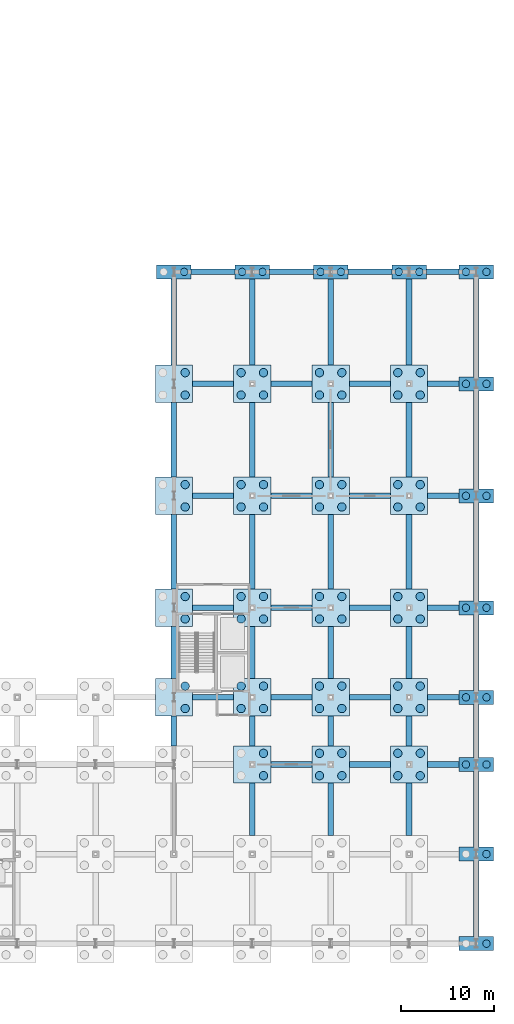
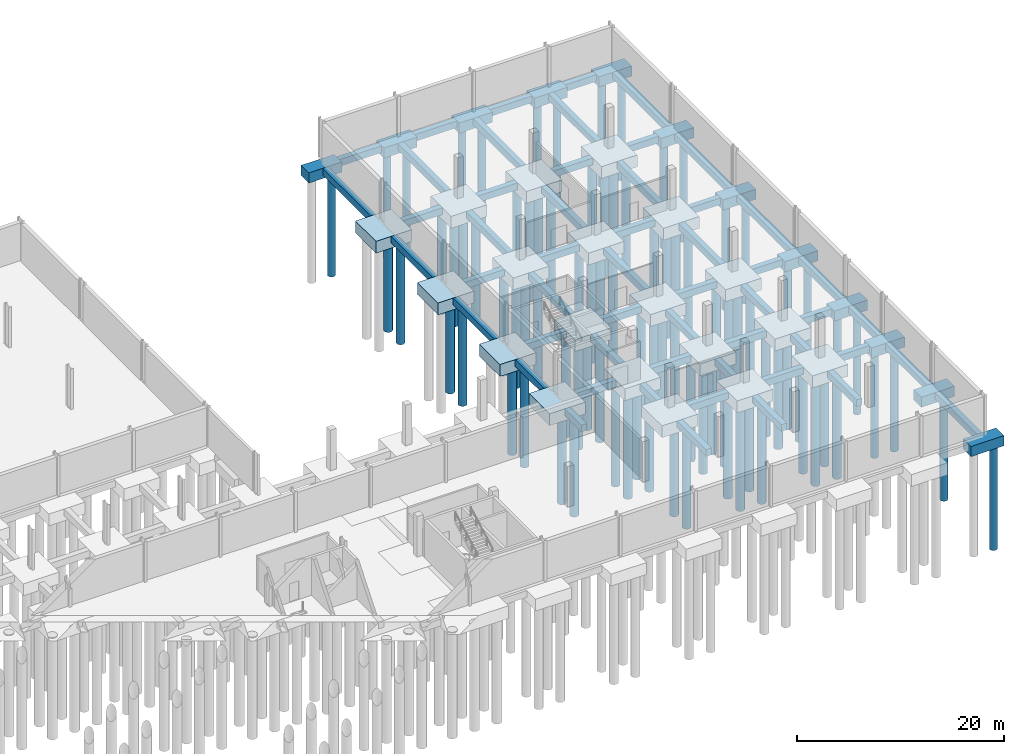
# One storey, part 6 of 29: 87 piles, 84 footings.
"""IFC4 building model written with IfcOpenShell, lengths in metres."""

from ifc_helpers import new_model, si_unit, direction, frame, origin, origin_2d, place, context, subcontext, project, spatial, rectangle, circle, extrude, material, material_profile, profile_set, type_object, element, save


model = new_model("IFC4")

# Units and contexts
model_context = context("Model", 3, precision=1e-05, world=origin(), true_north=direction((0.0, 1.0)))
body_context = subcontext(model_context, "Body", "Model", "MODEL_VIEW")
ifc_project = project(units=[si_unit("LENGTHUNIT", "METRE"), si_unit("AREAUNIT", "SQUARE_METRE"), si_unit("VOLUMEUNIT", "CUBIC_METRE"), si_unit("PLANEANGLEUNIT", "RADIAN"), si_unit("MASSUNIT", "GRAM", prefix="KILO")], contexts=[model_context])

# Site, building, storey
site_placement = place(None, origin())
site = spatial("IfcSite", under=ifc_project, at=site_placement, CompositionType="ELEMENT")
building_placement = place(site_placement, origin())
building = spatial("IfcBuilding", under=site, at=building_placement, Name="Veltarok Museum of Natural Sciences", CompositionType="ELEMENT")
storey_placement = place(building_placement, frame((0.0, 0.0, -4.800048828125)))
storey = spatial("IfcBuildingStorey", under=building, at=storey_placement, Name="B1", CompositionType="ELEMENT", Elevation=-4.800048828125)

# Piles
ifc_material = material(Name="Concrete C35/45", Category="concrete")
ifc_material_profile_1 = material_profile(ifc_material, circle(Radius=0.39990234375, at=origin_2d()), Name="BP D800")
ifc_profile_set_1 = profile_set([ifc_material_profile_1], Name="Concrete C35/45")
pile_type_1 = type_object("IfcPileType", Name="Bored Bedrock Pile D800", PredefinedType="BORED", material=ifc_profile_set_1)
for number, where, z_axis, x_axis, name in (
    (1, (133.5, 72.0, -1.599853515625), (0.0, 0.0, -1.0), (1.0, 0.0, 0.0), "Bored Pile BP-800 530"),
    (2, (139.699951171875, 72.0, -1.599853515625), (0.0, 0.0, -1.0), (1.0, 0.0, 0.0), "Bored Pile BP-800 559"),
    (3, (141.89990234375, 72.0, -1.599853515625), (0.0, 0.0, -1.0), (1.0, 0.0, 0.0), "Bored Pile BP-800 560"),
    (4, (148.10009765625, 72.0, -1.599853515625), (0.0, 0.0, -1.0), (1.0, 0.0, 0.0), "Bored Pile BP-800 589"),
    (5, (150.300048828125, 72.0, -1.599853515625), (0.0, 0.0, -1.0), (1.0, 0.0, 0.0), "Bored Pile BP-800 590"),
    (6, (156.5, 72.0, -1.599853515625), (0.0, 0.0, -1.0), (1.0, 0.0, 0.0), "Bored Pile BP-800 619"),
    (7, (158.699951171875, 72.0, -1.599853515625), (0.0, 0.0, -1.0), (1.0, 0.0, 0.0), "Bored Pile BP-800 620"),
    (8, (165.89990234375, 0.0, -1.599853515625), (0.0, 0.0, -1.0), (1.0, 0.0, 0.0), "Bored Pile BP-800 622"),
    (9, (165.89990234375, 9.60009765625, -1.599853515625), (0.0, 0.0, -1.0), (1.0, 0.0, 0.0), "Bored Pile BP-800 624"),
    (10, (163.699951171875, 19.199951171875, -1.599853515625), (0.0, 0.0, -1.0), (1.0, 0.0, 0.0), "Bored Pile BP-800 625"),
    (11, (165.89990234375, 19.199951171875, -1.599853515625), (0.0, 0.0, -1.0), (1.0, 0.0, 0.0), "Bored Pile BP-800 626"),
    (12, (163.699951171875, 26.39990234375, -1.599853515625), (0.0, 0.0, -1.0), (1.0, 0.0, 0.0), "Bored Pile BP-800 627"),
    (13, (165.89990234375, 26.39990234375, -1.599853515625), (0.0, 0.0, -1.0), (1.0, 0.0, 0.0), "Bored Pile BP-800 628"),
    (14, (163.699951171875, 36.0, -1.599853515625), (0.0, 0.0, -1.0), (1.0, 0.0, 0.0), "Bored Pile BP-800 629"),
    (15, (165.89990234375, 36.0, -1.599853515625), (0.0, 0.0, -1.0), (1.0, 0.0, 0.0), "Bored Pile BP-800 630"),
    (16, (163.699951171875, 48.0, -1.599853515625), (0.0, 0.0, -1.0), (1.0, 0.0, 0.0), "Bored Pile BP-800 631"),
    (17, (165.89990234375, 48.0, -1.599853515625), (0.0, 0.0, -1.0), (1.0, 0.0, 0.0), "Bored Pile BP-800 632"),
    (18, (163.699951171875, 60.0, -1.599853515625), (0.0, 0.0, -1.0), (1.0, 0.0, 0.0), "Bored Pile BP-800 633"),
    (19, (165.89990234375, 60.0, -1.599853515625), (0.0, 0.0, -1.0), (1.0, 0.0, 0.0), "Bored Pile BP-800 634"),
    (20, (163.699951171875, 72.0, -1.599853515625), (0.0, 0.0, -1.0), (1.0, 0.0, 0.0), "Bored Pile BP-800 635"),
    (21, (165.89990234375, 72.0, -1.599853515625), (0.0, 0.0, -1.0), (1.0, 0.0, 0.0), "Bored Pile BP-800 636"),
):
    element("IfcPile", number, at=place(storey_placement, frame(where, z_axis=z_axis, x_axis=x_axis)), inside=storey, type_object=pile_type_1, Name=name, PredefinedType="BORED", context=body_context, shape_type="SweptSolid", body=[
        extrude(circle(Radius=0.39990234375, at=origin_2d()), origin(), (0.0, 0.0, 1.0), 12.39990234375),
    ])
ifc_material_profile_2 = material_profile(ifc_material, circle(Radius=0.449951171875, at=origin_2d()), Name="BP D900")
ifc_profile_set_2 = profile_set([ifc_material_profile_2], Name="Concrete C35/45")
pile_type_2 = type_object("IfcPileType", Name="Bored Bedrock Pile D900", PredefinedType="BORED", material=ifc_profile_set_2)
for number, where, z_axis, x_axis, name in (
    (22, (133.60009765625, 25.199951171875, -1.800048828125), (0.0, 0.0, -1.0), (1.0, 0.0, 0.0), "Bored Pile BP-900 514"),
    (23, (133.60009765625, 27.60009765625, -1.800048828125), (0.0, 0.0, -1.0), (1.0, 0.0, 0.0), "Bored Pile BP-900 516"),
    (24, (133.60009765625, 34.800048828125, -1.800048828125), (0.0, 0.0, -1.0), (1.0, 0.0, 0.0), "Bored Pile BP-900 518"),
    (25, (133.60009765625, 37.199951171875, -1.800048828125), (0.0, 0.0, -1.0), (1.0, 0.0, 0.0), "Bored Pile BP-900 520"),
    (26, (133.60009765625, 46.800048828125, -1.800048828125), (0.0, 0.0, -1.0), (1.0, 0.0, 0.0), "Bored Pile BP-900 522"),
    (27, (133.60009765625, 49.199951171875, -1.800048828125), (0.0, 0.0, -1.0), (1.0, 0.0, 0.0), "Bored Pile BP-900 524"),
    (28, (133.60009765625, 58.800048828125, -1.800048828125), (0.0, 0.0, -1.0), (1.0, 0.0, 0.0), "Bored Pile BP-900 526"),
    (29, (133.60009765625, 61.199951171875, -1.800048828125), (0.0, 0.0, -1.0), (1.0, 0.0, 0.0), "Bored Pile BP-900 528"),
    (30, (142.0, 18.0, -1.800048828125), (0.0, 0.0, -1.0), (1.0, 0.0, 0.0), "Bored Pile BP-900 540"),
    (31, (142.0, 20.39990234375, -1.800048828125), (0.0, 0.0, -1.0), (1.0, 0.0, 0.0), "Bored Pile BP-900 542"),
    (32, (139.60009765625, 25.199951171875, -1.800048828125), (0.0, 0.0, -1.0), (1.0, 0.0, 0.0), "Bored Pile BP-900 543"),
    (33, (142.0, 25.199951171875, -1.800048828125), (0.0, 0.0, -1.0), (1.0, 0.0, 0.0), "Bored Pile BP-900 544"),
    (34, (139.60009765625, 27.60009765625, -1.800048828125), (0.0, 0.0, -1.0), (1.0, 0.0, 0.0), "Bored Pile BP-900 545"),
    (35, (142.0, 27.60009765625, -1.800048828125), (0.0, 0.0, -1.0), (1.0, 0.0, 0.0), "Bored Pile BP-900 546"),
    (36, (139.60009765625, 34.800048828125, -1.800048828125), (0.0, 0.0, -1.0), (1.0, 0.0, 0.0), "Bored Pile BP-900 547"),
    (37, (142.0, 34.800048828125, -1.800048828125), (0.0, 0.0, -1.0), (1.0, 0.0, 0.0), "Bored Pile BP-900 548"),
    (38, (139.60009765625, 37.199951171875, -1.800048828125), (0.0, 0.0, -1.0), (1.0, 0.0, 0.0), "Bored Pile BP-900 549"),
    (39, (142.0, 37.199951171875, -1.800048828125), (0.0, 0.0, -1.0), (1.0, 0.0, 0.0), "Bored Pile BP-900 550"),
    (40, (139.60009765625, 46.800048828125, -1.800048828125), (0.0, 0.0, -1.0), (1.0, 0.0, 0.0), "Bored Pile BP-900 551"),
    (41, (142.0, 46.800048828125, -1.800048828125), (0.0, 0.0, -1.0), (1.0, 0.0, 0.0), "Bored Pile BP-900 552"),
    (42, (139.60009765625, 49.199951171875, -1.800048828125), (0.0, 0.0, -1.0), (1.0, 0.0, 0.0), "Bored Pile BP-900 553"),
    (43, (142.0, 49.199951171875, -1.800048828125), (0.0, 0.0, -1.0), (1.0, 0.0, 0.0), "Bored Pile BP-900 554"),
    (44, (139.60009765625, 58.800048828125, -1.800048828125), (0.0, 0.0, -1.0), (1.0, 0.0, 0.0), "Bored Pile BP-900 555"),
    (45, (142.0, 58.800048828125, -1.800048828125), (0.0, 0.0, -1.0), (1.0, 0.0, 0.0), "Bored Pile BP-900 556"),
    (46, (139.60009765625, 61.199951171875, -1.800048828125), (0.0, 0.0, -1.0), (1.0, 0.0, 0.0), "Bored Pile BP-900 557"),
    (47, (142.0, 61.199951171875, -1.800048828125), (0.0, 0.0, -1.0), (1.0, 0.0, 0.0), "Bored Pile BP-900 558"),
    (48, (148.0, 18.0, -1.800048828125), (0.0, 0.0, -1.0), (1.0, 0.0, 0.0), "Bored Pile BP-900 569"),
    (49, (150.39990234375, 18.0, -1.800048828125), (0.0, 0.0, -1.0), (1.0, 0.0, 0.0), "Bored Pile BP-900 570"),
    (50, (148.0, 20.39990234375, -1.800048828125), (0.0, 0.0, -1.0), (1.0, 0.0, 0.0), "Bored Pile BP-900 571"),
    (51, (150.39990234375, 20.39990234375, -1.800048828125), (0.0, 0.0, -1.0), (1.0, 0.0, 0.0), "Bored Pile BP-900 572"),
    (52, (148.0, 25.199951171875, -1.800048828125), (0.0, 0.0, -1.0), (1.0, 0.0, 0.0), "Bored Pile BP-900 573"),
    (53, (150.39990234375, 25.199951171875, -1.800048828125), (0.0, 0.0, -1.0), (1.0, 0.0, 0.0), "Bored Pile BP-900 574"),
    (54, (148.0, 27.60009765625, -1.800048828125), (0.0, 0.0, -1.0), (1.0, 0.0, 0.0), "Bored Pile BP-900 575"),
    (55, (150.39990234375, 27.60009765625, -1.800048828125), (0.0, 0.0, -1.0), (1.0, 0.0, 0.0), "Bored Pile BP-900 576"),
    (56, (148.0, 34.800048828125, -1.800048828125), (0.0, 0.0, -1.0), (1.0, 0.0, 0.0), "Bored Pile BP-900 577"),
    (57, (150.39990234375, 34.800048828125, -1.800048828125), (0.0, 0.0, -1.0), (1.0, 0.0, 0.0), "Bored Pile BP-900 578"),
    (58, (148.0, 37.199951171875, -1.800048828125), (0.0, 0.0, -1.0), (1.0, 0.0, 0.0), "Bored Pile BP-900 579"),
    (59, (150.39990234375, 37.199951171875, -1.800048828125), (0.0, 0.0, -1.0), (1.0, 0.0, 0.0), "Bored Pile BP-900 580"),
    (60, (148.0, 46.800048828125, -1.800048828125), (0.0, 0.0, -1.0), (1.0, 0.0, 0.0), "Bored Pile BP-900 581"),
    (61, (150.39990234375, 46.800048828125, -1.800048828125), (0.0, 0.0, -1.0), (1.0, 0.0, 0.0), "Bored Pile BP-900 582"),
    (62, (148.0, 49.199951171875, -1.800048828125), (0.0, 0.0, -1.0), (1.0, 0.0, 0.0), "Bored Pile BP-900 583"),
    (63, (150.39990234375, 49.199951171875, -1.800048828125), (0.0, 0.0, -1.0), (1.0, 0.0, 0.0), "Bored Pile BP-900 584"),
    (64, (148.0, 58.800048828125, -1.800048828125), (0.0, 0.0, -1.0), (1.0, 0.0, 0.0), "Bored Pile BP-900 585"),
    (65, (150.39990234375, 58.800048828125, -1.800048828125), (0.0, 0.0, -1.0), (1.0, 0.0, 0.0), "Bored Pile BP-900 586"),
    (66, (148.0, 61.199951171875, -1.800048828125), (0.0, 0.0, -1.0), (1.0, 0.0, 0.0), "Bored Pile BP-900 587"),
    (67, (150.39990234375, 61.199951171875, -1.800048828125), (0.0, 0.0, -1.0), (1.0, 0.0, 0.0), "Bored Pile BP-900 588"),
    (68, (156.39990234375, 18.0, -1.800048828125), (0.0, 0.0, -1.0), (1.0, 0.0, 0.0), "Bored Pile BP-900 599"),
    (69, (158.800048828125, 18.0, -1.800048828125), (0.0, 0.0, -1.0), (1.0, 0.0, 0.0), "Bored Pile BP-900 600"),
    (70, (156.39990234375, 20.39990234375, -1.800048828125), (0.0, 0.0, -1.0), (1.0, 0.0, 0.0), "Bored Pile BP-900 601"),
    (71, (158.800048828125, 20.39990234375, -1.800048828125), (0.0, 0.0, -1.0), (1.0, 0.0, 0.0), "Bored Pile BP-900 602"),
    (72, (156.39990234375, 25.199951171875, -1.800048828125), (0.0, 0.0, -1.0), (1.0, 0.0, 0.0), "Bored Pile BP-900 603"),
    (73, (158.800048828125, 25.199951171875, -1.800048828125), (0.0, 0.0, -1.0), (1.0, 0.0, 0.0), "Bored Pile BP-900 604"),
    (74, (156.39990234375, 27.60009765625, -1.800048828125), (0.0, 0.0, -1.0), (1.0, 0.0, 0.0), "Bored Pile BP-900 605"),
    (75, (158.800048828125, 27.60009765625, -1.800048828125), (0.0, 0.0, -1.0), (1.0, 0.0, 0.0), "Bored Pile BP-900 606"),
    (76, (156.39990234375, 34.800048828125, -1.800048828125), (0.0, 0.0, -1.0), (1.0, 0.0, 0.0), "Bored Pile BP-900 607"),
    (77, (158.800048828125, 34.800048828125, -1.800048828125), (0.0, 0.0, -1.0), (1.0, 0.0, 0.0), "Bored Pile BP-900 608"),
    (78, (156.39990234375, 37.199951171875, -1.800048828125), (0.0, 0.0, -1.0), (1.0, 0.0, 0.0), "Bored Pile BP-900 609"),
    (79, (158.800048828125, 37.199951171875, -1.800048828125), (0.0, 0.0, -1.0), (1.0, 0.0, 0.0), "Bored Pile BP-900 610"),
    (80, (156.39990234375, 46.800048828125, -1.800048828125), (0.0, 0.0, -1.0), (1.0, 0.0, 0.0), "Bored Pile BP-900 611"),
    (81, (158.800048828125, 46.800048828125, -1.800048828125), (0.0, 0.0, -1.0), (1.0, 0.0, 0.0), "Bored Pile BP-900 612"),
    (82, (156.39990234375, 49.199951171875, -1.800048828125), (0.0, 0.0, -1.0), (1.0, 0.0, 0.0), "Bored Pile BP-900 613"),
    (83, (158.800048828125, 49.199951171875, -1.800048828125), (0.0, 0.0, -1.0), (1.0, 0.0, 0.0), "Bored Pile BP-900 614"),
    (84, (156.39990234375, 58.800048828125, -1.800048828125), (0.0, 0.0, -1.0), (1.0, 0.0, 0.0), "Bored Pile BP-900 615"),
    (85, (158.800048828125, 58.800048828125, -1.800048828125), (0.0, 0.0, -1.0), (1.0, 0.0, 0.0), "Bored Pile BP-900 616"),
    (86, (156.39990234375, 61.199951171875, -1.800048828125), (0.0, 0.0, -1.0), (1.0, 0.0, 0.0), "Bored Pile BP-900 617"),
    (87, (158.800048828125, 61.199951171875, -1.800048828125), (0.0, 0.0, -1.0), (1.0, 0.0, 0.0), "Bored Pile BP-900 618"),
):
    element("IfcPile", number, at=place(storey_placement, frame(where, z_axis=z_axis, x_axis=x_axis)), inside=storey, type_object=pile_type_2, Name=name, PredefinedType="BORED", context=body_context, shape_type="SweptSolid", body=[
        extrude(circle(Radius=0.449951171875, at=origin_2d()), origin(), (0.0, 0.0, 1.0), 12.199951171875),
    ])

# Footings
footing_type_1 = type_object("IfcFootingType", Name="Four-Pile Cap 4000x4000x1400", PredefinedType="PILE_CAP", material=ifc_material)
for number, where, z_axis, x_axis, name in (
    (88, (132.39990234375, 26.39990234375, -1.89990234375), (0.0, 0.0, 1.0), (1.0, 0.0, 0.0), "Pile Cap PC-4P 16/D"),
    (89, (132.39990234375, 36.0, -1.89990234375), (0.0, 0.0, 1.0), (1.0, 0.0, 0.0), "Pile Cap PC-4P 16/E"),
    (90, (132.39990234375, 48.0, -1.89990234375), (0.0, 0.0, 1.0), (1.0, 0.0, 0.0), "Pile Cap PC-4P 16/F"),
    (91, (132.39990234375, 60.0, -1.89990234375), (0.0, 0.0, 1.0), (1.0, 0.0, 0.0), "Pile Cap PC-4P 16/G"),
    (92, (140.800048828125, 19.199951171875, -1.89990234375), (0.0, 0.0, 1.0), (1.0, 0.0, 0.0), "Pile Cap PC-4P 17/C"),
    (93, (140.800048828125, 26.39990234375, -1.89990234375), (0.0, 0.0, 1.0), (1.0, 0.0, 0.0), "Pile Cap PC-4P 17/D"),
    (94, (140.800048828125, 36.0, -1.89990234375), (0.0, 0.0, 1.0), (1.0, 0.0, 0.0), "Pile Cap PC-4P 17/E"),
    (95, (140.800048828125, 48.0, -1.89990234375), (0.0, 0.0, 1.0), (1.0, 0.0, 0.0), "Pile Cap PC-4P 17/F"),
    (96, (140.800048828125, 60.0, -1.89990234375), (0.0, 0.0, 1.0), (1.0, 0.0, 0.0), "Pile Cap PC-4P 17/G"),
    (97, (149.199951171875, 19.199951171875, -1.89990234375), (0.0, 0.0, 1.0), (1.0, 0.0, 0.0), "Pile Cap PC-4P 18/C"),
    (98, (149.199951171875, 26.39990234375, -1.89990234375), (0.0, 0.0, 1.0), (1.0, 0.0, 0.0), "Pile Cap PC-4P 18/D"),
    (99, (149.199951171875, 36.0, -1.89990234375), (0.0, 0.0, 1.0), (1.0, 0.0, 0.0), "Pile Cap PC-4P 18/E"),
    (100, (149.199951171875, 48.0, -1.89990234375), (0.0, 0.0, 1.0), (1.0, 0.0, 0.0), "Pile Cap PC-4P 18/F"),
    (101, (149.199951171875, 60.0, -1.89990234375), (0.0, 0.0, 1.0), (1.0, 0.0, 0.0), "Pile Cap PC-4P 18/G"),
    (102, (157.60009765625, 19.199951171875, -1.89990234375), (0.0, 0.0, 1.0), (1.0, 0.0, 0.0), "Pile Cap PC-4P 19/C"),
    (103, (157.60009765625, 26.39990234375, -1.89990234375), (0.0, 0.0, 1.0), (1.0, 0.0, 0.0), "Pile Cap PC-4P 19/D"),
    (104, (157.60009765625, 36.0, -1.89990234375), (0.0, 0.0, 1.0), (1.0, 0.0, 0.0), "Pile Cap PC-4P 19/E"),
    (105, (157.60009765625, 48.0, -1.89990234375), (0.0, 0.0, 1.0), (1.0, 0.0, 0.0), "Pile Cap PC-4P 19/F"),
    (106, (157.60009765625, 60.0, -1.89990234375), (0.0, 0.0, 1.0), (1.0, 0.0, 0.0), "Pile Cap PC-4P 19/G"),
):
    element("IfcFooting", number, at=place(storey_placement, frame(where, z_axis=z_axis, x_axis=x_axis)), inside=storey, type_object=footing_type_1, Name=name, PredefinedType="PILE_CAP", context=body_context, shape_type="SweptSolid", body=[
        extrude(rectangle(XDim=4.0, YDim=4.0, at=origin_2d()), origin(), (0.0, 0.0, 1.0), 1.39990234375),
    ])
footing_type_2 = type_object("IfcFootingType", Name="Ground Tie Beam 600x800 L10500", PredefinedType="FOOTING_BEAM", material=ifc_material)
for number, where, z_axis, x_axis, name in (
    (107, (164.800048828125, 42.0, -1.2998046875), (0.0, 0.0, 1.0), (0.0, 1.0, 0.0), "Ground Tie Beam GB-10500 20/E-F"),
    (108, (164.800048828125, 54.0, -1.2998046875), (0.0, 0.0, 1.0), (0.0, 1.0, 0.0), "Ground Tie Beam GB-10500 20/F-G"),
    (109, (164.800048828125, 66.0, -1.2998046875), (0.0, 0.0, 1.0), (0.0, 1.0, 0.0), "Ground Tie Beam GB-10500 20/G-H"),
):
    element("IfcFooting", number, at=place(storey_placement, frame(where, z_axis=z_axis, x_axis=x_axis)), inside=storey, type_object=footing_type_2, Name=name, PredefinedType="FOOTING_BEAM", context=body_context, shape_type="SweptSolid", body=[
        extrude(rectangle(XDim=10.5, YDim=0.60009765625, at=origin_2d()), origin(), (0.0, 0.0, 1.0), 0.800048828125),
    ])
footing_type_3 = type_object("IfcFootingType", Name="Ground Tie Beam 600x800 L3200", PredefinedType="FOOTING_BEAM", material=ifc_material)
for number, where, z_axis, x_axis, name in (
    (110, (132.39990234375, 22.800048828125, -1.2998046875), (0.0, 0.0, 1.0), (0.0, 1.0, 0.0), "Ground Tie Beam GB-3200 16/C-D"),
    (111, (140.800048828125, 22.800048828125, -1.2998046875), (0.0, 0.0, 1.0), (0.0, 1.0, 0.0), "Ground Tie Beam GB-3200 17/C-D"),
    (112, (149.199951171875, 22.800048828125, -1.2998046875), (0.0, 0.0, 1.0), (0.0, 1.0, 0.0), "Ground Tie Beam GB-3200 18/C-D"),
    (113, (157.60009765625, 22.800048828125, -1.2998046875), (0.0, 0.0, 1.0), (0.0, 1.0, 0.0), "Ground Tie Beam GB-3200 19/C-D"),
):
    element("IfcFooting", number, at=place(storey_placement, frame(where, z_axis=z_axis, x_axis=x_axis)), inside=storey, type_object=footing_type_3, Name=name, PredefinedType="FOOTING_BEAM", context=body_context, shape_type="SweptSolid", body=[
        extrude(rectangle(XDim=3.199951171875, YDim=0.60009765625, at=origin_2d()), origin(), (0.0, 0.0, 1.0), 0.800048828125),
    ])
footing_type_4 = type_object("IfcFootingType", Name="Ground Tie Beam 600x800 L3350", PredefinedType="FOOTING_BEAM", material=ifc_material)
for number, where, z_axis, x_axis, name in (
    (114, (161.27490234375, 19.199951171875, -1.2998046875), (0.0, 0.0, 1.0), (1.0, 0.0, 0.0), "Ground Tie Beam GB-3350 19-20/C"),
    (115, (161.27490234375, 26.39990234375, -1.2998046875), (0.0, 0.0, 1.0), (1.0, 0.0, 0.0), "Ground Tie Beam GB-3350 19-20/D"),
    (116, (161.27490234375, 36.0, -1.2998046875), (0.0, 0.0, 1.0), (1.0, 0.0, 0.0), "Ground Tie Beam GB-3350 19-20/E"),
    (117, (161.27490234375, 48.0, -1.2998046875), (0.0, 0.0, 1.0), (1.0, 0.0, 0.0), "Ground Tie Beam GB-3350 19-20/F"),
    (118, (161.27490234375, 60.0, -1.2998046875), (0.0, 0.0, 1.0), (1.0, 0.0, 0.0), "Ground Tie Beam GB-3350 19-20/G"),
):
    element("IfcFooting", number, at=place(storey_placement, frame(where, z_axis=z_axis, x_axis=x_axis)), inside=storey, type_object=footing_type_4, Name=name, PredefinedType="FOOTING_BEAM", context=body_context, shape_type="SweptSolid", body=[
        extrude(rectangle(XDim=3.35009765625, YDim=0.60009765625, at=origin_2d()), origin(), (0.0, 0.0, 1.0), 0.800048828125),
    ])
footing_type_5 = type_object("IfcFootingType", Name="Ground Tie Beam 600x800 L3500", PredefinedType="FOOTING_BEAM", material=ifc_material)
footing_1_placement = place(storey_placement, frame((161.199951171875, 72.0, -1.2998046875), z_axis=(0.0, 0.0, 1.0), x_axis=(1.0, 0.0, 0.0)))
element("IfcFooting", 119, at=footing_1_placement, inside=storey, type_object=footing_type_5, Name="Ground Tie Beam GB-3500 19-20/H", PredefinedType="FOOTING_BEAM", context=body_context, shape_type="SweptSolid", body=[
    extrude(rectangle(XDim=3.5, YDim=0.60009765625, at=origin_2d()), origin(), (0.0, 0.0, 1.0), 0.800048828125),
])
footing_type_6 = type_object("IfcFootingType", Name="Ground Tie Beam 600x800 L4400", PredefinedType="FOOTING_BEAM", material=ifc_material)
for number, where, z_axis, x_axis, name in (
    (120, (145.0, 19.199951171875, -1.2998046875), (0.0, 0.0, 1.0), (1.0, 0.0, 0.0), "Ground Tie Beam GB-4400 17-18/C"),
    (121, (153.39990234375, 19.199951171875, -1.2998046875), (0.0, 0.0, 1.0), (1.0, 0.0, 0.0), "Ground Tie Beam GB-4400 18-19/C"),
    (122, (136.60009765625, 26.39990234375, -1.2998046875), (0.0, 0.0, 1.0), (1.0, 0.0, 0.0), "Ground Tie Beam GB-4400 16-17/D"),
    (123, (145.0, 26.39990234375, -1.2998046875), (0.0, 0.0, 1.0), (1.0, 0.0, 0.0), "Ground Tie Beam GB-4400 17-18/D"),
    (124, (153.39990234375, 26.39990234375, -1.2998046875), (0.0, 0.0, 1.0), (1.0, 0.0, 0.0), "Ground Tie Beam GB-4400 18-19/D"),
    (125, (136.60009765625, 36.0, -1.2998046875), (0.0, 0.0, 1.0), (1.0, 0.0, 0.0), "Ground Tie Beam GB-4400 16-17/E"),
    (126, (145.0, 36.0, -1.2998046875), (0.0, 0.0, 1.0), (1.0, 0.0, 0.0), "Ground Tie Beam GB-4400 17-18/E"),
    (127, (153.39990234375, 36.0, -1.2998046875), (0.0, 0.0, 1.0), (1.0, 0.0, 0.0), "Ground Tie Beam GB-4400 18-19/E"),
    (128, (136.60009765625, 48.0, -1.2998046875), (0.0, 0.0, 1.0), (1.0, 0.0, 0.0), "Ground Tie Beam GB-4400 16-17/F"),
    (129, (145.0, 48.0, -1.2998046875), (0.0, 0.0, 1.0), (1.0, 0.0, 0.0), "Ground Tie Beam GB-4400 17-18/F"),
    (130, (153.39990234375, 48.0, -1.2998046875), (0.0, 0.0, 1.0), (1.0, 0.0, 0.0), "Ground Tie Beam GB-4400 18-19/F"),
    (131, (136.60009765625, 60.0, -1.2998046875), (0.0, 0.0, 1.0), (1.0, 0.0, 0.0), "Ground Tie Beam GB-4400 16-17/G"),
    (132, (145.0, 60.0, -1.2998046875), (0.0, 0.0, 1.0), (1.0, 0.0, 0.0), "Ground Tie Beam GB-4400 17-18/G"),
    (133, (153.39990234375, 60.0, -1.2998046875), (0.0, 0.0, 1.0), (1.0, 0.0, 0.0), "Ground Tie Beam GB-4400 18-19/G"),
):
    element("IfcFooting", number, at=place(storey_placement, frame(where, z_axis=z_axis, x_axis=x_axis)), inside=storey, type_object=footing_type_6, Name=name, PredefinedType="FOOTING_BEAM", context=body_context, shape_type="SweptSolid", body=[
        extrude(rectangle(XDim=4.39990234375, YDim=0.60009765625, at=origin_2d()), origin(), (0.0, 0.0, 1.0), 0.800048828125),
    ])
footing_type_7 = type_object("IfcFootingType", Name="Ground Tie Beam 600x800 L4700", PredefinedType="FOOTING_BEAM", material=ifc_material)
for number, where, z_axis, x_axis, name in (
    (134, (136.60009765625, 72.0, -1.2998046875), (0.0, 0.0, 1.0), (1.0, 0.0, 0.0), "Ground Tie Beam GB-4700 16-17/H"),
    (135, (145.0, 72.0, -1.2998046875), (0.0, 0.0, 1.0), (1.0, 0.0, 0.0), "Ground Tie Beam GB-4700 17-18/H"),
    (136, (153.39990234375, 72.0, -1.2998046875), (0.0, 0.0, 1.0), (1.0, 0.0, 0.0), "Ground Tie Beam GB-4700 18-19/H"),
):
    element("IfcFooting", number, at=place(storey_placement, frame(where, z_axis=z_axis, x_axis=x_axis)), inside=storey, type_object=footing_type_7, Name=name, PredefinedType="FOOTING_BEAM", context=body_context, shape_type="SweptSolid", body=[
        extrude(rectangle(XDim=4.699951171875, YDim=0.60009765625, at=origin_2d()), origin(), (0.0, 0.0, 1.0), 0.800048828125),
    ])
footing_type_8 = type_object("IfcFootingType", Name="Ground Tie Beam 600x800 L5600", PredefinedType="FOOTING_BEAM", material=ifc_material)
for number, where, z_axis, x_axis, name in (
    (137, (132.39990234375, 31.199951171875, -1.2998046875), (0.0, 0.0, 1.0), (0.0, 1.0, 0.0), "Ground Tie Beam GB-5600 16/D-E"),
    (138, (140.800048828125, 14.39990234375, -1.2998046875), (0.0, 0.0, 1.0), (0.0, 1.0, 0.0), "Ground Tie Beam GB-5600 17/B-C"),
    (139, (140.800048828125, 31.199951171875, -1.2998046875), (0.0, 0.0, 1.0), (0.0, 1.0, 0.0), "Ground Tie Beam GB-5600 17/D-E"),
    (140, (149.199951171875, 14.39990234375, -1.2998046875), (0.0, 0.0, 1.0), (0.0, 1.0, 0.0), "Ground Tie Beam GB-5600 18/B-C"),
    (141, (149.199951171875, 31.199951171875, -1.2998046875), (0.0, 0.0, 1.0), (0.0, 1.0, 0.0), "Ground Tie Beam GB-5600 18/D-E"),
    (142, (157.60009765625, 14.39990234375, -1.2998046875), (0.0, 0.0, 1.0), (0.0, 1.0, 0.0), "Ground Tie Beam GB-5600 19/B-C"),
    (143, (157.60009765625, 31.199951171875, -1.2998046875), (0.0, 0.0, 1.0), (0.0, 1.0, 0.0), "Ground Tie Beam GB-5600 19/D-E"),
):
    element("IfcFooting", number, at=place(storey_placement, frame(where, z_axis=z_axis, x_axis=x_axis)), inside=storey, type_object=footing_type_8, Name=name, PredefinedType="FOOTING_BEAM", context=body_context, shape_type="SweptSolid", body=[
        extrude(rectangle(XDim=5.60009765625, YDim=0.60009765625, at=origin_2d()), origin(), (0.0, 0.0, 1.0), 0.800048828125),
    ])
footing_type_9 = type_object("IfcFootingType", Name="Ground Tie Beam 600x800 L5700", PredefinedType="FOOTING_BEAM", material=ifc_material)
footing_2_placement = place(storey_placement, frame((164.800048828125, 22.800048828125, -1.2998046875), z_axis=(0.0, 0.0, 1.0), x_axis=(0.0, 1.0, 0.0)))
element("IfcFooting", 144, at=footing_2_placement, inside=storey, type_object=footing_type_9, Name="Ground Tie Beam GB-5700 20/C-D", PredefinedType="FOOTING_BEAM", context=body_context, shape_type="SweptSolid", body=[
    extrude(rectangle(XDim=5.699951171875, YDim=0.60009765625, at=origin_2d()), origin(), (0.0, 0.0, 1.0), 0.800048828125),
])
footing_type_10 = type_object("IfcFootingType", Name="Ground Tie Beam 600x800 L8000", PredefinedType="FOOTING_BEAM", material=ifc_material)
for number, where, z_axis, x_axis, name in (
    (145, (132.39990234375, 42.0, -1.2998046875), (0.0, 0.0, 1.0), (0.0, 1.0, 0.0), "Ground Tie Beam GB-8000 16/E-F"),
    (146, (132.39990234375, 54.0, -1.2998046875), (0.0, 0.0, 1.0), (0.0, 1.0, 0.0), "Ground Tie Beam GB-8000 16/F-G"),
    (147, (140.800048828125, 42.0, -1.2998046875), (0.0, 0.0, 1.0), (0.0, 1.0, 0.0), "Ground Tie Beam GB-8000 17/E-F"),
    (148, (140.800048828125, 54.0, -1.2998046875), (0.0, 0.0, 1.0), (0.0, 1.0, 0.0), "Ground Tie Beam GB-8000 17/F-G"),
    (149, (149.199951171875, 42.0, -1.2998046875), (0.0, 0.0, 1.0), (0.0, 1.0, 0.0), "Ground Tie Beam GB-8000 18/E-F"),
    (150, (149.199951171875, 54.0, -1.2998046875), (0.0, 0.0, 1.0), (0.0, 1.0, 0.0), "Ground Tie Beam GB-8000 18/F-G"),
    (151, (157.60009765625, 42.0, -1.2998046875), (0.0, 0.0, 1.0), (0.0, 1.0, 0.0), "Ground Tie Beam GB-8000 19/E-F"),
    (152, (157.60009765625, 54.0, -1.2998046875), (0.0, 0.0, 1.0), (0.0, 1.0, 0.0), "Ground Tie Beam GB-8000 19/F-G"),
):
    element("IfcFooting", number, at=place(storey_placement, frame(where, z_axis=z_axis, x_axis=x_axis)), inside=storey, type_object=footing_type_10, Name=name, PredefinedType="FOOTING_BEAM", context=body_context, shape_type="SweptSolid", body=[
        extrude(rectangle(XDim=8.0, YDim=0.60009765625, at=origin_2d()), origin(), (0.0, 0.0, 1.0), 0.800048828125),
    ])
footing_type_11 = type_object("IfcFootingType", Name="Ground Tie Beam 600x800 L8100", PredefinedType="FOOTING_BEAM", material=ifc_material)
for number, where, z_axis, x_axis, name in (
    (153, (164.800048828125, 4.800048828125, -1.2998046875), (0.0, 0.0, 1.0), (0.0, 1.0, 0.0), "Ground Tie Beam GB-8100 20/A-B"),
    (154, (164.800048828125, 14.39990234375, -1.2998046875), (0.0, 0.0, 1.0), (0.0, 1.0, 0.0), "Ground Tie Beam GB-8100 20/B-C"),
    (155, (164.800048828125, 31.199951171875, -1.2998046875), (0.0, 0.0, 1.0), (0.0, 1.0, 0.0), "Ground Tie Beam GB-8100 20/D-E"),
):
    element("IfcFooting", number, at=place(storey_placement, frame(where, z_axis=z_axis, x_axis=x_axis)), inside=storey, type_object=footing_type_11, Name=name, PredefinedType="FOOTING_BEAM", context=body_context, shape_type="SweptSolid", body=[
        extrude(rectangle(XDim=8.10009765625, YDim=0.60009765625, at=origin_2d()), origin(), (0.0, 0.0, 1.0), 0.800048828125),
    ])
footing_type_12 = type_object("IfcFootingType", Name="Ground Tie Beam 600x800 L9250", PredefinedType="FOOTING_BEAM", material=ifc_material)
for number, where, z_axis, x_axis, name in (
    (156, (132.39990234375, 66.625, -1.2998046875), (0.0, 0.0, 1.0), (0.0, 1.0, 0.0), "Ground Tie Beam GB-9250 16/G-H"),
    (157, (140.800048828125, 66.625, -1.2998046875), (0.0, 0.0, 1.0), (0.0, 1.0, 0.0), "Ground Tie Beam GB-9250 17/G-H"),
    (158, (149.199951171875, 66.625, -1.2998046875), (0.0, 0.0, 1.0), (0.0, 1.0, 0.0), "Ground Tie Beam GB-9250 18/G-H"),
    (159, (157.60009765625, 66.625, -1.2998046875), (0.0, 0.0, 1.0), (0.0, 1.0, 0.0), "Ground Tie Beam GB-9250 19/G-H"),
):
    element("IfcFooting", number, at=place(storey_placement, frame(where, z_axis=z_axis, x_axis=x_axis)), inside=storey, type_object=footing_type_12, Name=name, PredefinedType="FOOTING_BEAM", context=body_context, shape_type="SweptSolid", body=[
        extrude(rectangle(XDim=9.25, YDim=0.60009765625, at=origin_2d()), origin(), (0.0, 0.0, 1.0), 0.800048828125),
    ])
footing_type_13 = type_object("IfcFootingType", Name="Two-Pile Cap 3700x1500x1200", PredefinedType="PILE_CAP", material=ifc_material)
for number, where, z_axis, x_axis, name in (
    (160, (132.39990234375, 72.0, -1.69970703125), (0.0, 0.0, 1.0), (1.0, 0.0, 0.0), "Pile Cap PC-2P 16/H"),
    (161, (140.800048828125, 72.0, -1.69970703125), (0.0, 0.0, 1.0), (1.0, 0.0, 0.0), "Pile Cap PC-2P 17/H"),
    (162, (149.199951171875, 72.0, -1.69970703125), (0.0, 0.0, 1.0), (1.0, 0.0, 0.0), "Pile Cap PC-2P 18/H"),
    (163, (157.60009765625, 72.0, -1.69970703125), (0.0, 0.0, 1.0), (1.0, 0.0, 0.0), "Pile Cap PC-2P 19/H"),
    (164, (164.800048828125, 0.0, -1.69970703125), (0.0, 0.0, 1.0), (1.0, 0.0, 0.0), "Pile Cap PC-2P 20/A"),
    (165, (164.800048828125, 9.60009765625, -1.69970703125), (0.0, 0.0, 1.0), (1.0, 0.0, 0.0), "Pile Cap PC-2P 20/B"),
    (166, (164.800048828125, 19.199951171875, -1.69970703125), (0.0, 0.0, 1.0), (1.0, 0.0, 0.0), "Pile Cap PC-2P 20/C"),
    (167, (164.800048828125, 26.39990234375, -1.69970703125), (0.0, 0.0, 1.0), (1.0, 0.0, 0.0), "Pile Cap PC-2P 20/D"),
    (168, (164.800048828125, 36.0, -1.69970703125), (0.0, 0.0, 1.0), (1.0, 0.0, 0.0), "Pile Cap PC-2P 20/E"),
    (169, (164.800048828125, 48.0, -1.69970703125), (0.0, 0.0, 1.0), (1.0, 0.0, 0.0), "Pile Cap PC-2P 20/F"),
    (170, (164.800048828125, 60.0, -1.69970703125), (0.0, 0.0, 1.0), (1.0, 0.0, 0.0), "Pile Cap PC-2P 20/G"),
    (171, (164.800048828125, 72.0, -1.69970703125), (0.0, 0.0, 1.0), (1.0, 0.0, 0.0), "Pile Cap PC-2P 20/H"),
):
    element("IfcFooting", number, at=place(storey_placement, frame(where, z_axis=z_axis, x_axis=x_axis)), inside=storey, type_object=footing_type_13, Name=name, PredefinedType="PILE_CAP", context=body_context, shape_type="SweptSolid", body=[
        extrude(rectangle(XDim=3.699951171875, YDim=1.5, at=origin_2d()), origin(), (0.0, 0.0, 1.0), 1.199951171875),
    ])

save(model, "model.ifc")
